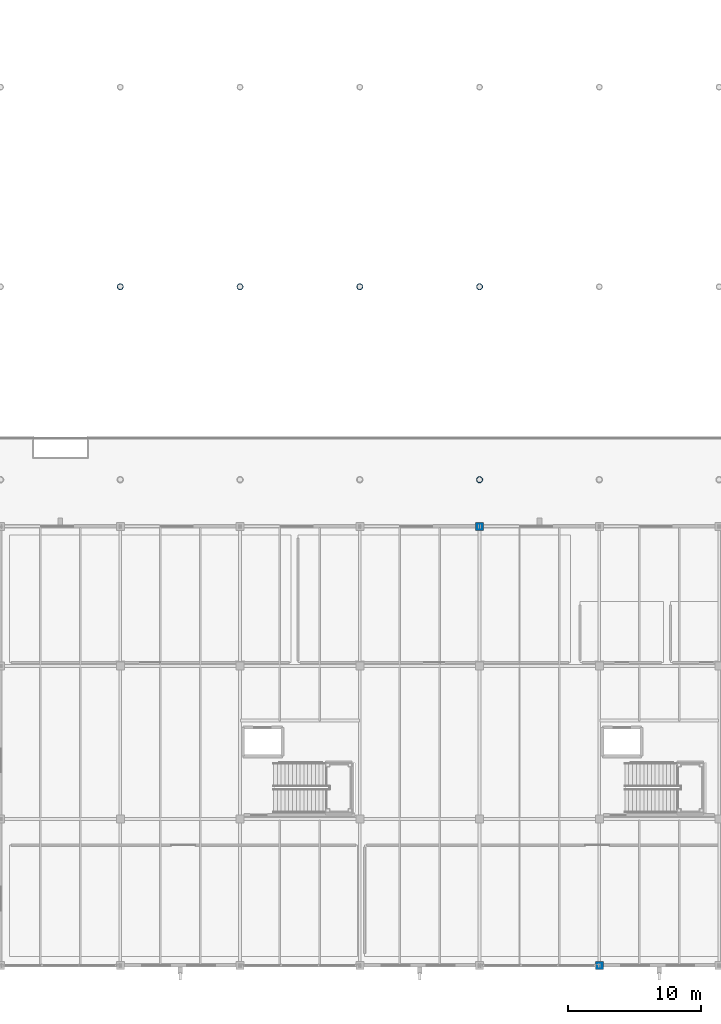
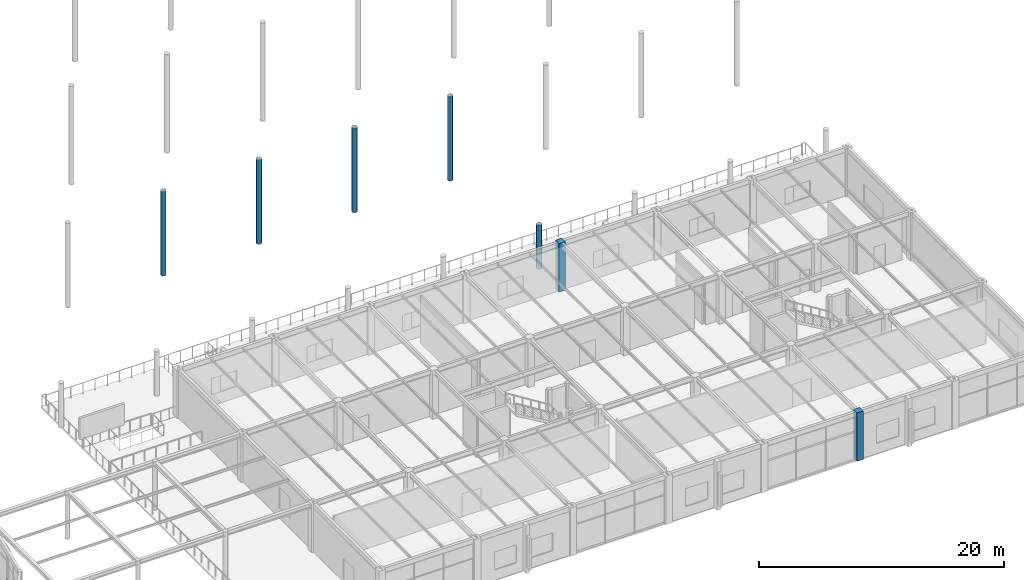
# One storey, part 18 of 143: 7 columns.
"""IFC4 building model written with IfcOpenShell, lengths in metres."""

from ifc_helpers import new_model, si_unit, direction, frame, origin, origin_2d, place, context, subcontext, project, spatial, rectangle, hollow_circle, extrude, material, material_profile, profile_set, type_object, element, save


model = new_model("IFC4")

# Units and contexts
model_context = context("Model", 3, precision=1e-05, world=origin(), true_north=direction((0.0, 1.0)))
body_context = subcontext(model_context, "Body", "Model", "MODEL_VIEW")
ifc_project = project(units=[si_unit("LENGTHUNIT", "METRE"), si_unit("AREAUNIT", "SQUARE_METRE"), si_unit("VOLUMEUNIT", "CUBIC_METRE"), si_unit("PLANEANGLEUNIT", "RADIAN"), si_unit("MASSUNIT", "GRAM", prefix="KILO")], contexts=[model_context])

# Site, building, storey
site_placement = place(None, origin())
site = spatial("IfcSite", under=ifc_project, at=site_placement, CompositionType="ELEMENT")
building_placement = place(site_placement, origin())
building = spatial("IfcBuilding", under=site, at=building_placement, Name="Marlcrest Central Station", CompositionType="ELEMENT")
storey_placement = place(building_placement, frame((0.0, 0.0, 4.800048828125)))
storey = spatial("IfcBuildingStorey", under=building, at=storey_placement, Name="L01", CompositionType="ELEMENT", Elevation=4.800048828125)

# Columns
ifc_material_1 = material(Name="Concrete C50/60", Category="concrete")
ifc_material_profile_1 = material_profile(ifc_material_1, rectangle(XDim=0.60009765625, YDim=0.60009765625, at=origin_2d()), Name="RC 600x600")
ifc_profile_set_1 = profile_set([ifc_material_profile_1], Name="Concrete C50/60")
column_type_1 = type_object("IfcColumnType", Name="RC-04", PredefinedType="COLUMN", material=ifc_profile_set_1)
for number, where, z_axis, x_axis, name in (
    (1, (189.0, 33.0, 0.0), (0.0, 0.0, 1.0), (1.0, 0.0, 0.0), "col-RC-04-L01-0315"),
    (2, (198.0, 0.0, 0.0), (0.0, 0.0, 1.0), (1.0, 0.0, 0.0), "col-RC-04-L01-0316"),
):
    element("IfcColumn", number, at=place(storey_placement, frame(where, z_axis=z_axis, x_axis=x_axis)), inside=storey, type_object=column_type_1, Name=name, PredefinedType="COLUMN", context=body_context, shape_type="SweptSolid", body=[
        extrude(rectangle(XDim=0.60009765625, YDim=0.60009765625, at=origin_2d()), origin(), (0.0, 0.0, 1.0), 4.81494140625),
    ])
ifc_material_2 = material(Name="Steel S355", Category="steel")
ifc_material_profile_2 = material_profile(ifc_material_2, hollow_circle(Radius=0.228515625, WallThickness=0.02001953125, at=origin_2d()), Name="CHS 457x20")
ifc_profile_set_2 = profile_set([ifc_material_profile_2], Name="Steel S355")
column_type_2 = type_object("IfcColumnType", Name="SC-11", PredefinedType="COLUMN", material=ifc_profile_set_2)
for number, where, z_axis, x_axis, name in (
    (3, (162.0, 51.0, 0.0), (0.0, 0.0, 1.0), (1.0, 0.0, 0.0), "col-SC-11-L01-0537"),
    (4, (171.0, 51.0, 0.0), (0.0, 0.0, 1.0), (1.0, 0.0, 0.0), "col-SC-11-L01-0548"),
    (5, (180.0, 51.0, 0.0), (0.0, 0.0, 1.0), (1.0, 0.0, 0.0), "col-SC-11-L01-0559"),
):
    element("IfcColumn", number, at=place(storey_placement, frame(where, z_axis=z_axis, x_axis=x_axis)), inside=storey, type_object=column_type_2, Name=name, PredefinedType="COLUMN", context=body_context, shape_type="SweptSolid", body=[
        extrude(hollow_circle(Radius=0.228515625, WallThickness=0.02001953125, at=origin_2d()), origin(), (0.0, 0.0, 1.0), 8.40380859375),
    ])
column_1_placement = place(storey_placement, frame((189.0, 36.5, 0.0), z_axis=(0.0, 0.0, 1.0), x_axis=(1.0, 0.0, 0.0)))
element("IfcColumn", 6, at=column_1_placement, inside=storey, type_object=column_type_2, Name="col-SC-11-L01-0568", PredefinedType="COLUMN", context=body_context, shape_type="SweptSolid", body=[
    extrude(hollow_circle(Radius=0.228515625, WallThickness=0.02001953125, at=origin_2d()), origin(), (0.0, 0.0, 1.0), 4.39990234375),
])
column_2_placement = place(storey_placement, frame((189.0, 51.0, 0.0), z_axis=(0.0, 0.0, 1.0), x_axis=(1.0, 0.0, 0.0)))
element("IfcColumn", 7, at=column_2_placement, inside=storey, type_object=column_type_2, Name="col-SC-11-L01-0570", PredefinedType="COLUMN", context=body_context, shape_type="SweptSolid", body=[
    extrude(hollow_circle(Radius=0.228515625, WallThickness=0.02001953125, at=origin_2d()), origin(), (0.0, 0.0, 1.0), 8.40380859375),
])

save(model, "model.ifc")
